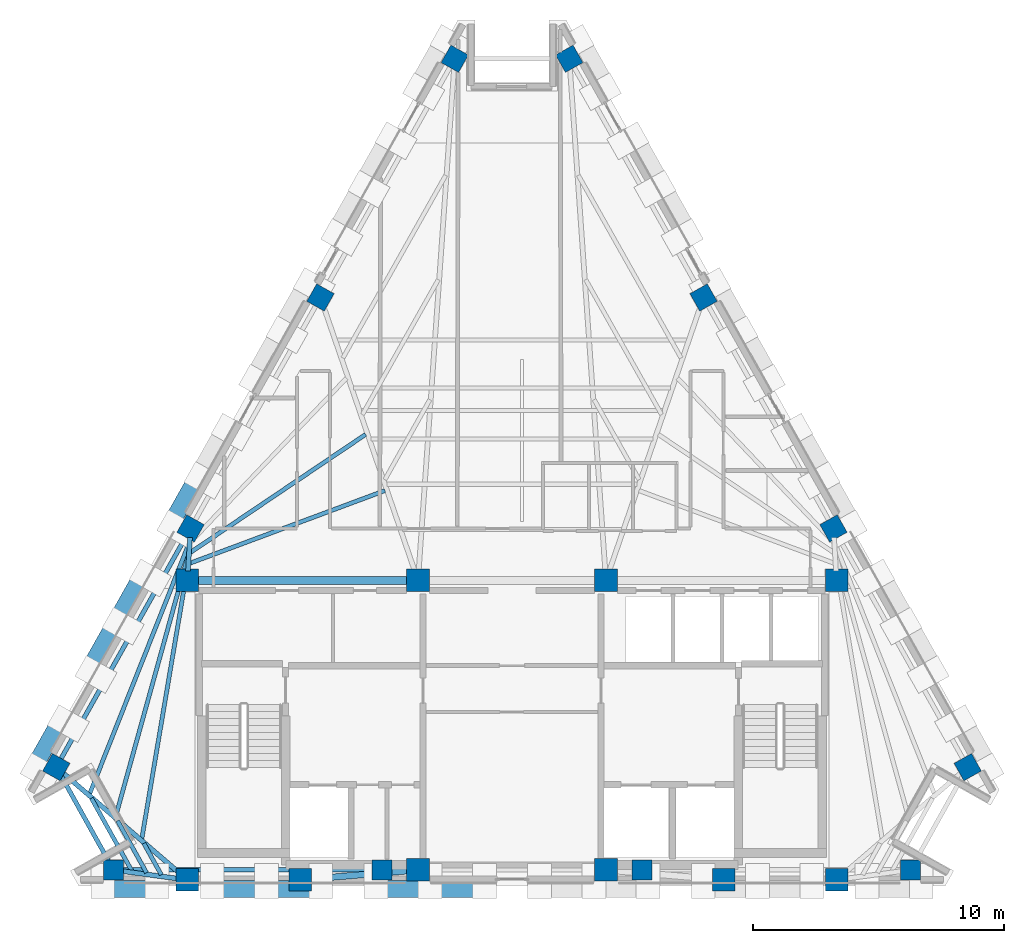
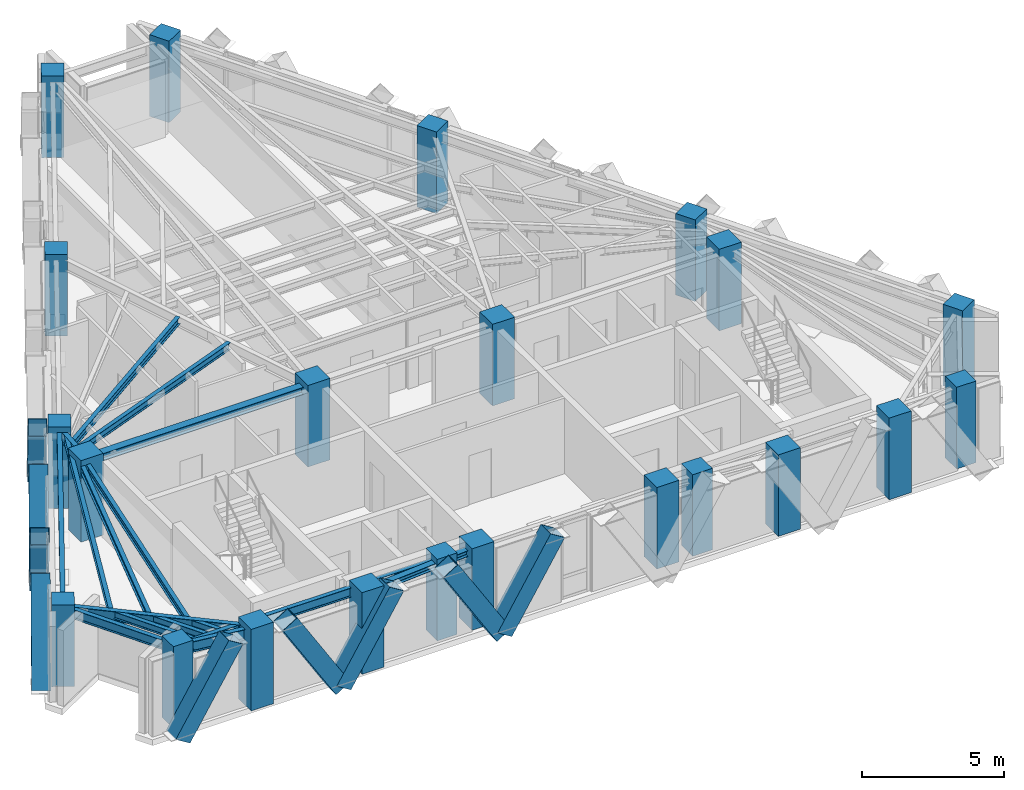
# One storey, part 1 of 9: 22 columns, 16 beams, 9 members.
"""IFC4 building model written with IfcOpenShell, lengths in metres."""

from ifc_helpers import new_model, si_unit, direction, frame, origin, origin_2d, place, context, subcontext, project, spatial, rectangle, hollow_rectangle, i_section, extrude, material, material_profile, profile_set, type_object, element, save


model = new_model("IFC4")

# Units and contexts
model_context = context("Model", 3, precision=1e-05, world=origin(), true_north=direction((0.0, 1.0)))
body_context = subcontext(model_context, "Body", "Model", "MODEL_VIEW")
ifc_project = project(units=[si_unit("LENGTHUNIT", "METRE"), si_unit("AREAUNIT", "SQUARE_METRE"), si_unit("VOLUMEUNIT", "CUBIC_METRE"), si_unit("PLANEANGLEUNIT", "RADIAN"), si_unit("MASSUNIT", "GRAM", prefix="KILO")], contexts=[model_context])

# Site, building, storey
site_placement = place(None, origin())
site = spatial("IfcSite", under=ifc_project, at=site_placement, CompositionType="ELEMENT")
building_placement = place(site_placement, origin())
building = spatial("IfcBuilding", under=site, at=building_placement, Name="Quenlor Broadcast Tower", CompositionType="ELEMENT")
storey_placement = place(building_placement, frame((0.0, 0.0, 260.39990234375)))
storey = spatial("IfcBuildingStorey", under=building, at=storey_placement, Name="L72", CompositionType="ELEMENT", Elevation=260.39990234375)

# Columns
ifc_material_1 = material(Name="Concrete C50/60", Category="concrete")
ifc_material_profile_1 = material_profile(ifc_material_1, rectangle(XDim=0.89990234375, YDim=0.89990234375, at=origin_2d()))
ifc_profile_set_1 = profile_set([ifc_material_profile_1], Name="Concrete C50/60 RC900x900")
column_type_1 = type_object("IfcColumnType", Name="Core Corner Column Upper Concrete C50/60 900", PredefinedType="COLUMN", material=ifc_profile_set_1)
for number, where, z_axis, x_axis, name in (
    (1, (-12.949951171875, -16.75, 0.0), (0.0, 0.0, 1.0), (1.0, 0.0, 0.0), "L72 Core Column CC1"),
    (2, (-8.449951171875, -16.75, 0.0), (0.0, 0.0, 1.0), (1.0, 0.0, 0.0), "L72 Core Column CC2"),
    (3, (-3.75, -16.35009765625, 0.0), (0.0, 0.0, 1.0), (1.0, 0.0, 0.0), "L72 Core Column CC3"),
    (4, (3.75, -16.35009765625, 0.0), (0.0, 0.0, 1.0), (1.0, 0.0, 0.0), "L72 Core Column CC4"),
    (5, (8.449951171875, -16.75, 0.0), (0.0, 0.0, 1.0), (1.0, 0.0, 0.0), "L72 Core Column CC5"),
    (6, (12.949951171875, -16.75, 0.0), (0.0, 0.0, 1.0), (1.0, 0.0, 0.0), "L72 Core Column CC6"),
    (7, (-12.949951171875, -4.800048828125, 0.0), (0.0, 0.0, 1.0), (1.0, 0.0, 0.0), "L72 Core Column CC7"),
    (8, (-3.75, -4.800048828125, 0.0), (0.0, 0.0, 1.0), (1.0, 0.0, 0.0), "L72 Core Column CC8"),
    (9, (3.75, -4.800048828125, 0.0), (0.0, 0.0, 1.0), (1.0, 0.0, 0.0), "L72 Core Column CC9"),
    (10, (12.949951171875, -4.800048828125, 0.0), (0.0, 0.0, 1.0), (1.0, 0.0, 0.0), "L72 Core Column CC10"),
):
    element("IfcColumn", number, at=place(storey_placement, frame(where, z_axis=z_axis, x_axis=x_axis)), inside=storey, type_object=column_type_1, Name=name, PredefinedType="COLUMN", context=body_context, shape_type="SweptSolid", body=[
        extrude(rectangle(XDim=0.89990234375, YDim=0.89990234375, at=origin_2d()), origin(), (0.0, 0.0, 1.0), 3.5),
    ])
ifc_material_2 = material(Name="Concrete C50/60", Category="concrete")
ifc_material_profile_2 = material_profile(ifc_material_2, rectangle(XDim=0.800048828125, YDim=0.800048828125, at=origin_2d()))
ifc_profile_set_2 = profile_set([ifc_material_profile_2], Name="Concrete C50/60 RC800x800")
column_type_2 = type_object("IfcColumnType", Name="Tower Perimeter Column Z5 Concrete C50/60 800", PredefinedType="COLUMN", material=ifc_profile_set_2)
for number, where, z_axis, x_axis, name in (
    (11, (-15.897705078125, -16.35009765625, 0.0), (0.0, 0.0, 1.0), (0.0, 1.0, 0.0), "L72 Perimeter Column S1"),
    (12, (-5.18408203125, -16.35009765625, 0.0), (0.0, 0.0, 1.0), (0.0, 1.0, 0.0), "L72 Perimeter Column S2"),
    (13, (5.18408203125, -16.35009765625, 0.0), (0.0, 0.0, 1.0), (0.0, 1.0, 0.0), "L72 Perimeter Column S3"),
    (14, (15.897705078125, -16.35009765625, 0.0), (0.0, 0.0, 1.0), (0.0, 1.0, 0.0), "L72 Perimeter Column S4"),
    (15, (18.182373046875, -12.25, 0.0), (0.0, 0.0, 1.0), (0.871575139605, 0.490261946333, 0.0), "L72 Perimeter Column NE1"),
    (16, (12.825439453125, -2.726806640625, 0.0), (0.0, 0.0, 1.0), (0.871575139605, 0.490261946333, 0.0), "L72 Perimeter Column NE2"),
    (17, (7.6416015625, 6.4892578125, 0.0), (0.0, 0.0, 1.0), (0.871575139605, 0.490261946333, 0.0), "L72 Perimeter Column NE3"),
    (18, (2.28466796875, 16.012451171875, 0.0), (0.0, 0.0, 1.0), (0.871575139605, 0.490261946333, 0.0), "L72 Perimeter Column NE4"),
    (19, (-2.28466796875, 16.012451171875, 0.0), (0.0, 0.0, 1.0), (-0.871575139605, 0.490261946333, 0.0), "L72 Perimeter Column NW1"),
    (20, (-7.6416015625, 6.4892578125, 0.0), (0.0, 0.0, 1.0), (-0.871575139605, 0.490261946333, 0.0), "L72 Perimeter Column NW2"),
    (21, (-12.825439453125, -2.726806640625, 0.0), (0.0, 0.0, 1.0), (-0.871575139605, 0.490261946333, 0.0), "L72 Perimeter Column NW3"),
    (22, (-18.182373046875, -12.25, 0.0), (0.0, 0.0, 1.0), (-0.871575139605, 0.490261946333, 0.0), "L72 Perimeter Column NW4"),
):
    element("IfcColumn", number, at=place(storey_placement, frame(where, z_axis=z_axis, x_axis=x_axis)), inside=storey, type_object=column_type_2, Name=name, PredefinedType="COLUMN", context=body_context, shape_type="SweptSolid", body=[
        extrude(rectangle(XDim=0.800048828125, YDim=0.800048828125, at=origin_2d()), origin(), (0.0, 0.0, 1.0), 3.5),
    ])

# Beams
ifc_material_3 = material(Name="Steel S355", Category="steel")
ifc_material_profile_3 = material_profile(ifc_material_3, i_section(OverallWidth=0.25390625, OverallDepth=0.25390625, WebThickness=0.008544921875, FlangeThickness=0.01416015625, FilletRadius=0.013916015625, at=origin_2d()))
ifc_profile_set_3 = profile_set([ifc_material_profile_3], Name="Steel S355 250UC72.9")
beam_type_1 = type_object("IfcBeamType", Name="Core Opening Lintel Beam Steel S355 250UC72.9", PredefinedType="LINTEL", material=ifc_profile_set_3)
beam_1_placement = place(storey_placement, frame((-8.09130859375, -16.719482421875, 3.123291015625), z_axis=(0.996399763903, 0.084779186679, 0.0), x_axis=(-0.084779186679, 0.996399763903, 0.0)))
element("IfcBeam", 23, at=beam_1_placement, inside=storey, type_object=beam_type_1, Name="L72 Core Opening Lintel Beam 4", PredefinedType="LINTEL", context=body_context, shape_type="SweptSolid", body=[
    extrude(i_section(OverallWidth=0.25390625, OverallDepth=0.25390625, WebThickness=0.008544921875, FlangeThickness=0.01416015625, FilletRadius=0.013916015625, at=origin_2d()), origin(), (0.0, 0.0, 1.0), 3.9970703125),
])
ifc_material_4 = material(Name="Steel S355", Category="steel")
ifc_material_profile_4 = material_profile(ifc_material_4, i_section(OverallWidth=0.306884765625, OverallDepth=0.314697265625, WebThickness=0.011962890625, FlangeThickness=0.018798828125, FilletRadius=0.0166015625, at=origin_2d()))
ifc_profile_set_4 = profile_set([ifc_material_profile_4], Name="Steel S355 310UC118")
beam_type_2 = type_object("IfcBeamType", Name="Core Tie Beam Steel S355 310UC118", PredefinedType="BEAM", material=ifc_profile_set_4)
beam_2_placement = place(storey_placement, frame((-12.590087890625, -4.800048828125, 3.0927734375), z_axis=(1.0, 0.0, 0.0), x_axis=(0.0, 1.0, 0.0)))
element("IfcBeam", 24, at=beam_2_placement, inside=storey, type_object=beam_type_2, Name="L72 Core Tie Beam 1", PredefinedType="BEAM", context=body_context, shape_type="SweptSolid", body=[
    extrude(i_section(OverallWidth=0.306884765625, OverallDepth=0.314697265625, WebThickness=0.011962890625, FlangeThickness=0.018798828125, FilletRadius=0.0166015625, at=origin_2d()), origin(), (0.0, 0.0, 1.0), 8.47998046875),
])

# Members
ifc_material_5 = material(Name="Steel S355", Category="steel")
ifc_material_profile_5 = material_profile(ifc_material_5, hollow_rectangle(XDim=0.679931640625, YDim=0.679931640625, WallThickness=0.02001953125, at=origin_2d()))
ifc_profile_set_5 = profile_set([ifc_material_profile_5], Name="Steel S355 RHS680x680x20")
member_type = type_object("IfcMemberType", Name="Perimeter Diagonal Lattice Brace Z5-Crown Steel S355 RHS680x20", PredefinedType="BRACE", material=ifc_profile_set_5)
member_1_placement = place(storey_placement, frame((-3.2529296875, -17.1201171875, -0.119873046875), z_axis=(0.523616565236, 0.0, 0.85195404372), x_axis=(0.0, 1.0, 0.0)))
element("IfcMember", 25, at=member_1_placement, inside=storey, type_object=member_type, Name="L72 Perimeter Diamond Lattice S-C3B", PredefinedType="BRACE", context=body_context, shape_type="SweptSolid", body=[
    extrude(hollow_rectangle(XDim=0.679931640625, YDim=0.679931640625, WallThickness=0.02001953125, at=origin_2d()), origin(), (0.0, 0.0, 1.0), 4.108154296875),
])
member_2_placement = place(storey_placement, frame((-3.279052734375, -17.1201171875, -0.119873046875), z_axis=(-0.5236596973, 0.0, 0.851927532965), x_axis=(0.0, -1.0, 0.0)))
element("IfcMember", 26, at=member_2_placement, inside=storey, type_object=member_type, Name="L72 Perimeter Diamond Lattice S-C4S", PredefinedType="BRACE", context=body_context, shape_type="SweptSolid", body=[
    extrude(hollow_rectangle(XDim=0.679931640625, YDim=0.679931640625, WallThickness=0.02001953125, at=origin_2d()), origin(), (0.0, 0.0, 1.0), 4.1083984375),
])
member_3_placement = place(storey_placement, frame((-9.784912109375, -17.1201171875, -0.119873046875), z_axis=(0.523616565236, 0.0, 0.85195404372), x_axis=(0.0, 1.0, 0.0)))
element("IfcMember", 27, at=member_3_placement, inside=storey, type_object=member_type, Name="L72 Perimeter Diamond Lattice S-C4B", PredefinedType="BRACE", context=body_context, shape_type="SweptSolid", body=[
    extrude(hollow_rectangle(XDim=0.679931640625, YDim=0.679931640625, WallThickness=0.02001953125, at=origin_2d()), origin(), (0.0, 0.0, 1.0), 4.108154296875),
])
member_4_placement = place(storey_placement, frame((-9.81103515625, -17.1201171875, -0.119873046875), z_axis=(-0.5236596973, 0.0, 0.851927532965), x_axis=(0.0, -1.0, 0.0)))
element("IfcMember", 28, at=member_4_placement, inside=storey, type_object=member_type, Name="L72 Perimeter Diamond Lattice S-C5S", PredefinedType="BRACE", context=body_context, shape_type="SweptSolid", body=[
    extrude(hollow_rectangle(XDim=0.679931640625, YDim=0.679931640625, WallThickness=0.02001953125, at=origin_2d()), origin(), (0.0, 0.0, 1.0), 4.1083984375),
])
member_5_placement = place(storey_placement, frame((-16.31689453125, -17.1201171875, -0.119873046875), z_axis=(0.523616565236, 0.0, 0.85195404372), x_axis=(0.0, 1.0, 0.0)))
element("IfcMember", 29, at=member_5_placement, inside=storey, type_object=member_type, Name="L72 Perimeter Diamond Lattice S-C5B", PredefinedType="BRACE", context=body_context, shape_type="SweptSolid", body=[
    extrude(hollow_rectangle(XDim=0.679931640625, YDim=0.679931640625, WallThickness=0.02001953125, at=origin_2d()), origin(), (0.0, 0.0, 1.0), 4.108154296875),
])
for number, where, z_axis, x_axis, name in (
    (30, (-19.072265625, -12.261474609375, -0.119873046875), (0.260563732169, 0.463283497491, 0.847038926161), (-0.871602253711, 0.49021374045, 0.0), "L72 Perimeter Diamond Lattice NW-C1S"),
    (31, (-15.815673828125, -6.471923828125, -0.119873046875), (-0.260618804175, -0.463276364439, 0.847025884529), (0.8715547569, -0.490298180422, 0.0), "L72 Perimeter Diamond Lattice NW-C1B"),
    (32, (-15.802490234375, -6.44873046875, -0.119873046875), (0.260563732169, 0.463283497491, 0.847038926161), (-0.871602253711, 0.49021374045, 0.0), "L72 Perimeter Diamond Lattice NW-C2S"),
    (33, (-12.5458984375, -0.6591796875, -0.119873046875), (-0.260618804175, -0.463276364439, 0.847025884529), (0.8715547569, -0.490298180422, 0.0), "L72 Perimeter Diamond Lattice NW-C2B"),
):
    element("IfcMember", number, at=place(storey_placement, frame(where, z_axis=z_axis, x_axis=x_axis)), inside=storey, type_object=member_type, Name=name, PredefinedType="BRACE", context=body_context, shape_type="SweptSolid", body=[
        extrude(hollow_rectangle(XDim=0.679931640625, YDim=0.679931640625, WallThickness=0.02001953125, at=origin_2d()), origin(), (0.0, 0.0, 1.0), 4.132080078125),
    ])

# Beams
ifc_material_6 = material(Name="Steel S355", Category="steel")
ifc_material_profile_6 = material_profile(ifc_material_6, i_section(OverallWidth=0.177978515625, OverallDepth=0.406494140625, WebThickness=0.0078125, FlangeThickness=0.0126953125, FilletRadius=0.011474609375, at=origin_2d()))
ifc_profile_set_6 = profile_set([ifc_material_profile_6], Name="Steel S355 410UB59.7")
beam_type_3 = type_object("IfcBeamType", Name="Perimeter Spandrel Beam Z5 Steel S355 410UB59.7", PredefinedType="SPANDREL", material=ifc_profile_set_6)
beam_3_placement = place(storey_placement, frame((-15.53759765625, -16.35009765625, 3.046875), z_axis=(1.0, 0.0, 0.0), x_axis=(0.0, 1.0, 0.0)))
element("IfcBeam", 34, at=beam_3_placement, inside=storey, type_object=beam_type_3, Name="L72 Spandrel Beam S1-S2", PredefinedType="SPANDREL", context=body_context, shape_type="SweptSolid", body=[
    extrude(i_section(OverallWidth=0.177978515625, OverallDepth=0.406494140625, WebThickness=0.0078125, FlangeThickness=0.0126953125, FilletRadius=0.011474609375, at=origin_2d()), origin(), (0.0, 0.0, 1.0), 9.99365234375),
])
beam_4_placement = place(storey_placement, frame((-13.001953125, -3.04052734375, 3.046875), z_axis=(-0.490274867878, -0.871567871096, 0.0), x_axis=(0.871567871096, -0.490274867878, 0.0)))
element("IfcBeam", 35, at=beam_4_placement, inside=storey, type_object=beam_type_3, Name="L72 Spandrel Beam NW3-NW4", PredefinedType="SPANDREL", context=body_context, shape_type="SweptSolid", body=[
    extrude(i_section(OverallWidth=0.177978515625, OverallDepth=0.406494140625, WebThickness=0.0078125, FlangeThickness=0.0126953125, FilletRadius=0.011474609375, at=origin_2d()), origin(), (0.0, 0.0, 1.0), 10.206298828125),
])
beam_5_placement = place(storey_placement, frame((-18.007080078125, -12.564453125, 3.046875), z_axis=(0.486800618374, -0.873513112638, 0.0), x_axis=(0.873513112638, 0.486800618374, 0.0)))
element("IfcBeam", 36, at=beam_5_placement, inside=storey, type_object=beam_type_3, Name="L72 Spandrel Beam NW4-S1", PredefinedType="SPANDREL", context=body_context, shape_type="SweptSolid", body=[
    extrude(i_section(OverallWidth=0.177978515625, OverallDepth=0.406494140625, WebThickness=0.0078125, FlangeThickness=0.0126953125, FilletRadius=0.011474609375, at=origin_2d()), origin(), (0.0, 0.0, 1.0), 3.9736328125),
])
ifc_material_7 = material(Name="Steel S355", Category="steel")
ifc_material_profile_7 = material_profile(ifc_material_7, i_section(OverallWidth=0.166015625, OverallDepth=0.30712890625, WebThickness=0.006591796875, FlangeThickness=0.01171875, FilletRadius=0.011474609375, at=origin_2d()))
ifc_profile_set_7 = profile_set([ifc_material_profile_7], Name="Steel S355 310UB46.2")
beam_type_4 = type_object("IfcBeamType", Name="Tower Composite Joist Z4-Z5 Steel S355 310UB46.2", PredefinedType="JOIST", material=ifc_profile_set_7)
beam_6_placement = place(storey_placement, frame((-12.835205078125, -4.108642578125, 3.096435546875), z_axis=(0.937062080226, 0.349162795559, 0.0), x_axis=(-0.349162795559, 0.937062080226, 0.0)))
element("IfcBeam", 37, at=beam_6_placement, inside=storey, type_object=beam_type_4, Name="L72 Secondary Composite Joist 7", PredefinedType="JOIST", context=body_context, shape_type="SweptSolid", body=[
    extrude(i_section(OverallWidth=0.166015625, OverallDepth=0.30712890625, WebThickness=0.006591796875, FlangeThickness=0.01171875, FilletRadius=0.011474609375, at=origin_2d()), origin(), (0.0, 0.0, 1.0), 8.286376953125),
])
beam_7_placement = place(storey_placement, frame((-12.81884765625, -3.67724609375, 3.096435546875), z_axis=(0.829286301475, 0.558823970661, 0.0), x_axis=(-0.558823970661, 0.829286301475, 0.0)))
element("IfcBeam", 38, at=beam_7_placement, inside=storey, type_object=beam_type_4, Name="L72 Secondary Composite Joist 8", PredefinedType="JOIST", context=body_context, shape_type="SweptSolid", body=[
    extrude(i_section(OverallWidth=0.166015625, OverallDepth=0.30712890625, WebThickness=0.006591796875, FlangeThickness=0.01171875, FilletRadius=0.011474609375, at=origin_2d()), origin(), (0.0, 0.0, 1.0), 8.415771484375),
])
beam_8_placement = place(storey_placement, frame((-14.76806640625, -15.09619140625, 3.096435546875), z_axis=(0.166553293246, 0.986032454085, 0.0), x_axis=(-0.986032454085, 0.166553293246, 0.0)))
element("IfcBeam", 39, at=beam_8_placement, inside=storey, type_object=beam_type_4, Name="L72 Secondary Composite Joist 13", PredefinedType="JOIST", context=body_context, shape_type="SweptSolid", body=[
    extrude(i_section(OverallWidth=0.166015625, OverallDepth=0.30712890625, WebThickness=0.006591796875, FlangeThickness=0.01171875, FilletRadius=0.011474609375, at=origin_2d()), origin(), (0.0, 0.0, 1.0), 11.097900390625),
])
beam_9_placement = place(storey_placement, frame((-15.806396484375, -14.197998046875, 3.096435546875), z_axis=(0.26744552871, 0.96357298072, 0.0), x_axis=(-0.96357298072, 0.26744552871, 0.0)))
element("IfcBeam", 40, at=beam_9_placement, inside=storey, type_object=beam_type_4, Name="L72 Secondary Composite Joist 14", PredefinedType="JOIST", context=body_context, shape_type="SweptSolid", body=[
    extrude(i_section(OverallWidth=0.166015625, OverallDepth=0.30712890625, WebThickness=0.006591796875, FlangeThickness=0.01171875, FilletRadius=0.011474609375, at=origin_2d()), origin(), (0.0, 0.0, 1.0), 10.856689453125),
])
beam_10_placement = place(storey_placement, frame((-16.8447265625, -13.300537109375, 3.096435546875), z_axis=(0.368680258049, 0.929556274426, 0.0), x_axis=(-0.929556274426, 0.368680258049, 0.0)))
element("IfcBeam", 41, at=beam_10_placement, inside=storey, type_object=beam_type_4, Name="L72 Secondary Composite Joist 15", PredefinedType="JOIST", context=body_context, shape_type="SweptSolid", body=[
    extrude(i_section(OverallWidth=0.166015625, OverallDepth=0.30712890625, WebThickness=0.006591796875, FlangeThickness=0.01171875, FilletRadius=0.011474609375, at=origin_2d()), origin(), (0.0, 0.0, 1.0), 10.737548828125),
])
beam_11_placement = place(storey_placement, frame((-13.9912109375, -16.544189453125, 3.096435546875), z_axis=(-0.486624304452, 0.873611347406, 0.0), x_axis=(-0.873611347406, -0.486624304452, 0.0)))
element("IfcBeam", 42, at=beam_11_placement, inside=storey, type_object=beam_type_4, Name="L72 Secondary Composite Joist 19", PredefinedType="JOIST", context=body_context, shape_type="SweptSolid", body=[
    extrude(i_section(OverallWidth=0.166015625, OverallDepth=0.30712890625, WebThickness=0.006591796875, FlangeThickness=0.01171875, FilletRadius=0.011474609375, at=origin_2d()), origin(), (0.0, 0.0, 1.0), 1.435791015625),
])
beam_12_placement = place(storey_placement, frame((-14.58056640625, -16.464111328125, 3.096435546875), z_axis=(-0.486820963037, 0.873501774439, 0.0), x_axis=(-0.873501774439, -0.486820963037, 0.0)))
element("IfcBeam", 43, at=beam_12_placement, inside=storey, type_object=beam_type_4, Name="L72 Secondary Composite Joist 20", PredefinedType="JOIST", context=body_context, shape_type="SweptSolid", body=[
    extrude(i_section(OverallWidth=0.166015625, OverallDepth=0.30712890625, WebThickness=0.006591796875, FlangeThickness=0.01171875, FilletRadius=0.011474609375, at=origin_2d()), origin(), (0.0, 0.0, 1.0), 2.37451171875),
])
beam_13_placement = place(storey_placement, frame((-15.170166015625, -16.384033203125, 3.096435546875), z_axis=(-0.486762404011, 0.873534408046, 0.0), x_axis=(-0.873534408046, -0.486762404011, 0.0)))
element("IfcBeam", 44, at=beam_13_placement, inside=storey, type_object=beam_type_4, Name="L72 Secondary Composite Joist 21", PredefinedType="JOIST", context=body_context, shape_type="SweptSolid", body=[
    extrude(i_section(OverallWidth=0.166015625, OverallDepth=0.30712890625, WebThickness=0.006591796875, FlangeThickness=0.01171875, FilletRadius=0.011474609375, at=origin_2d()), origin(), (0.0, 0.0, 1.0), 3.313232421875),
])
ifc_material_8 = material(Name="Steel S355", Category="steel")
ifc_material_profile_8 = material_profile(ifc_material_8, i_section(OverallWidth=0.19091796875, OverallDepth=0.46044921875, WebThickness=0.010009765625, FlangeThickness=0.01611328125, FilletRadius=0.011474609375, at=origin_2d()))
ifc_profile_set_8 = profile_set([ifc_material_profile_8], Name="Steel S355 460UB82.1")
beam_type_5 = type_object("IfcBeamType", Name="Tower Primary Floor Beam Z5 Steel S355 460UB82.1", PredefinedType="BEAM", material=ifc_profile_set_8)
beam_14_placement = place(storey_placement, frame((-15.541015625, -16.3984375, 3.02001953125), z_axis=(0.990917044125, -0.134474576267, 0.0), x_axis=(0.134474576267, 0.990917044125, 0.0)))
element("IfcBeam", 45, at=beam_14_placement, inside=storey, type_object=beam_type_5, Name="L72 Primary Radial Beam S1", PredefinedType="BEAM", context=body_context, shape_type="SweptSolid", body=[
    extrude(i_section(OverallWidth=0.19091796875, OverallDepth=0.46044921875, WebThickness=0.010009765625, FlangeThickness=0.01611328125, FilletRadius=0.011474609375, at=origin_2d()), origin(), (0.0, 0.0, 1.0), 2.23486328125),
])
beam_15_placement = place(storey_placement, frame((-12.84716796875, -3.086181640625, 3.02001953125), z_axis=(-0.059899569349, -0.998204408722, 0.0), x_axis=(0.998204408722, -0.059899569349, 0.0)))
element("IfcBeam", 46, at=beam_15_placement, inside=storey, type_object=beam_type_5, Name="L72 Primary Radial Beam NW3", PredefinedType="BEAM", context=body_context, shape_type="SweptSolid", body=[
    extrude(i_section(OverallWidth=0.19091796875, OverallDepth=0.46044921875, WebThickness=0.010009765625, FlangeThickness=0.01611328125, FilletRadius=0.011474609375, at=origin_2d()), origin(), (0.0, 0.0, 1.0), 1.3369140625),
])
beam_16_placement = place(storey_placement, frame((-17.909423828125, -12.484619140625, 3.02001953125), z_axis=(0.75817030855, -0.652056579779, 0.0), x_axis=(0.652056579779, 0.75817030855, 0.0)))
element("IfcBeam", 47, at=beam_16_placement, inside=storey, type_object=beam_type_5, Name="L72 Primary Radial Beam NW4", PredefinedType="BEAM", context=body_context, shape_type="SweptSolid", body=[
    extrude(i_section(OverallWidth=0.19091796875, OverallDepth=0.46044921875, WebThickness=0.010009765625, FlangeThickness=0.01611328125, FilletRadius=0.011474609375, at=origin_2d()), origin(), (0.0, 0.0, 1.0), 6.161376953125),
])

save(model, "model.ifc")
